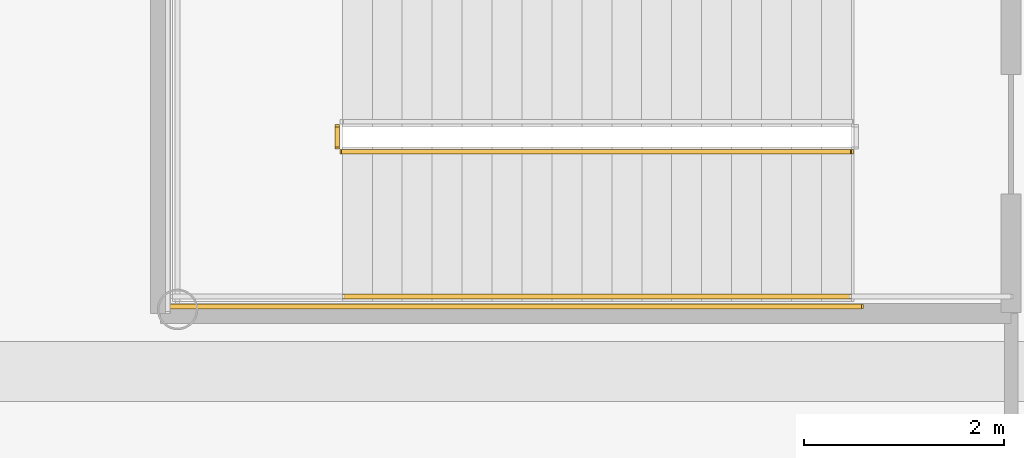
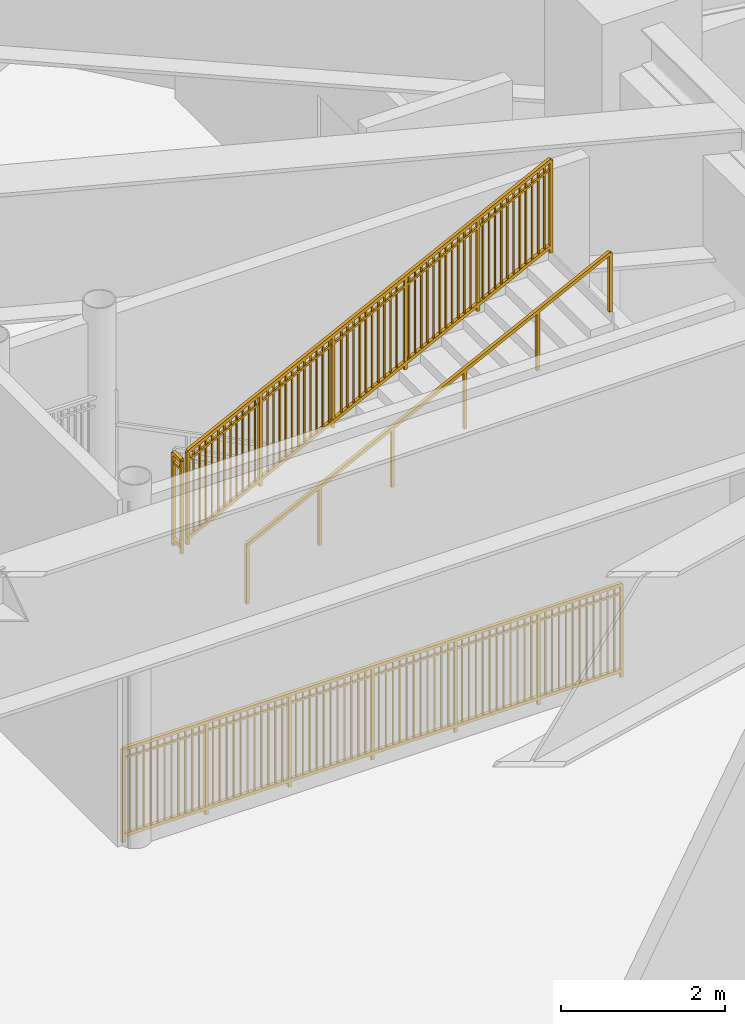
# One storey, part 28 of 39: 4 railings.
"""IFC4 building model written with IfcOpenShell, lengths in metres."""

from ifc_helpers import new_model, si_unit, direction, frame, origin, origin_2d, place, context, subcontext, project, spatial, rectangle, extrude, source, transform, mapped, material, type_object, element, save


model = new_model("IFC4")

# Units and contexts
model_context = context("Model", 3, precision=1e-05, world=origin(), true_north=direction((0.0, 1.0)))
body_context = subcontext(model_context, "Body", "Model", "MODEL_VIEW")
ifc_project = project(units=[si_unit("LENGTHUNIT", "METRE"), si_unit("AREAUNIT", "SQUARE_METRE"), si_unit("VOLUMEUNIT", "CUBIC_METRE"), si_unit("PLANEANGLEUNIT", "RADIAN"), si_unit("MASSUNIT", "GRAM", prefix="KILO")], contexts=[model_context])

# Site, building, storey
site_placement = place(None, origin())
site = spatial("IfcSite", under=ifc_project, at=site_placement, CompositionType="ELEMENT")
building_placement = place(site_placement, origin())
building = spatial("IfcBuilding", under=site, at=building_placement, Name="Linh Dai School and Residence Tower", CompositionType="ELEMENT")
storey_placement = place(building_placement, frame((0.0, 0.0, 27.0)))
storey = spatial("IfcBuildingStorey", under=building, at=storey_placement, Name="L06", CompositionType="ELEMENT", Elevation=27.0)

# Railings
ifc_material_1 = material(Name="Structural Steel S355JR", Category="steel")
railing_type_1 = type_object("IfcRailingType", Name="RL-ST-GUARD-1400", PredefinedType="GUARDRAIL", material=ifc_material_1)
shared_shape_1 = source(origin(), body_context, "Body", "SweptSolid", [
    extrude(rectangle(XDim=0.048095703125, YDim=0.048095703125, at=origin_2d()), frame((0.0, 0.0, 1.3759765625), z_axis=(0.0, -1.0, 0.0), x_axis=(1.0, 0.0, 0.0)), (0.0, 0.0, 1.0), 0.199951171875),
    extrude(rectangle(XDim=0.048095703125, YDim=0.048095703125, at=origin_2d()), frame((0.0, 0.0, 0.10009765625), z_axis=(0.0, -1.0, 0.0), x_axis=(1.0, 0.0, 0.0)), (0.0, 0.0, 1.0), 0.199951171875),
    extrude(rectangle(XDim=0.030029296875, YDim=0.030029296875, at=origin_2d()), frame((0.0, 0.0, 1.239990234375), z_axis=(0.0, -1.0, 0.0), x_axis=(1.0, 0.0, 0.0)), (0.0, 0.0, 1.0), 0.199951171875),
    extrude(rectangle(XDim=0.0419921875, YDim=0.0419921875, at=origin_2d()), origin(), (0.0, 0.0, 1.0), 1.3759765625),
    extrude(rectangle(XDim=0.0419921875, YDim=0.0419921875, at=origin_2d()), frame((0.0, -0.199951171875, 0.0)), (0.0, 0.0, 1.0), 1.3759765625),
])
railing_1_placement = place(storey_placement, frame((17.25, 29.449951171875, 2.699951171875)))
element("IfcRailing", 1, at=railing_1_placement, inside=storey, type_object=railing_type_1, Name="L06 STS1 stair guard 2", PredefinedType="GUARDRAIL", context=body_context, shape_type="MappedRepresentation", body=[
    mapped(shared_shape_1, transform((0.0, 0.0, 0.0), x_axis=(1.0, 0.0, 0.0), y_axis=(0.0, 1.0, 0.0), z_axis=(0.0, 0.0, 1.0), scale=1.0)),
])
shared_shape_2 = source(origin(), body_context, "Body", "SweptSolid", [
    extrude(rectangle(XDim=0.048095703125, YDim=0.048095703125, at=origin_2d()), frame((0.0, 0.0, 1.3759765625), z_axis=(-1.0, 0.0, 0.0), x_axis=(0.0, -1.0, 0.0)), (0.0, 0.0, 1.0), 7.0),
    extrude(rectangle(XDim=0.048095703125, YDim=0.048095703125, at=origin_2d()), frame((0.0, 0.0, 0.10009765625), z_axis=(-1.0, 0.0, 0.0), x_axis=(0.0, -1.0, 0.0)), (0.0, 0.0, 1.0), 7.0),
    extrude(rectangle(XDim=0.030029296875, YDim=0.030029296875, at=origin_2d()), frame((0.0, 0.0, 1.239990234375), z_axis=(-1.0, 0.0, 0.0), x_axis=(0.0, -1.0, 0.0)), (0.0, 0.0, 1.0), 7.0),
    extrude(rectangle(XDim=0.02001953125, YDim=0.02001953125, at=origin_2d()), frame((-0.09716796875, 0.0, 0.10009765625)), (0.0, 0.0, 1.0), 1.251708984375),
    extrude(rectangle(XDim=0.02001953125, YDim=0.02001953125, at=origin_2d()), frame((-0.1943359375, 0.0, 0.10009765625)), (0.0, 0.0, 1.0), 1.251708984375),
    extrude(rectangle(XDim=0.02001953125, YDim=0.02001953125, at=origin_2d()), frame((-0.291748046875, 0.0, 0.10009765625)), (0.0, 0.0, 1.0), 1.251708984375),
    extrude(rectangle(XDim=0.02001953125, YDim=0.02001953125, at=origin_2d()), frame((-0.388916015625, 0.0, 0.10009765625)), (0.0, 0.0, 1.0), 1.251708984375),
    extrude(rectangle(XDim=0.02001953125, YDim=0.02001953125, at=origin_2d()), frame((-0.486083984375, 0.0, 0.10009765625)), (0.0, 0.0, 1.0), 1.251708984375),
    extrude(rectangle(XDim=0.02001953125, YDim=0.02001953125, at=origin_2d()), frame((-0.583251953125, 0.0, 0.10009765625)), (0.0, 0.0, 1.0), 1.251708984375),
    extrude(rectangle(XDim=0.02001953125, YDim=0.02001953125, at=origin_2d()), frame((-0.6806640625, 0.0, 0.10009765625)), (0.0, 0.0, 1.0), 1.251708984375),
    extrude(rectangle(XDim=0.02001953125, YDim=0.02001953125, at=origin_2d()), frame((-0.77783203125, 0.0, 0.10009765625)), (0.0, 0.0, 1.0), 1.251708984375),
    extrude(rectangle(XDim=0.02001953125, YDim=0.02001953125, at=origin_2d()), frame((-0.875, 0.0, 0.10009765625)), (0.0, 0.0, 1.0), 1.251708984375),
    extrude(rectangle(XDim=0.02001953125, YDim=0.02001953125, at=origin_2d()), frame((-0.97216796875, 0.0, 0.10009765625)), (0.0, 0.0, 1.0), 1.251708984375),
    extrude(rectangle(XDim=0.02001953125, YDim=0.02001953125, at=origin_2d()), frame((-1.0693359375, 0.0, 0.10009765625)), (0.0, 0.0, 1.0), 1.251708984375),
    extrude(rectangle(XDim=0.02001953125, YDim=0.02001953125, at=origin_2d()), frame((-1.263916015625, 0.0, 0.10009765625)), (0.0, 0.0, 1.0), 1.251708984375),
    extrude(rectangle(XDim=0.02001953125, YDim=0.02001953125, at=origin_2d()), frame((-1.361083984375, 0.0, 0.10009765625)), (0.0, 0.0, 1.0), 1.251708984375),
    extrude(rectangle(XDim=0.02001953125, YDim=0.02001953125, at=origin_2d()), frame((-1.458251953125, 0.0, 0.10009765625)), (0.0, 0.0, 1.0), 1.251708984375),
    extrude(rectangle(XDim=0.02001953125, YDim=0.02001953125, at=origin_2d()), frame((-1.5556640625, 0.0, 0.10009765625)), (0.0, 0.0, 1.0), 1.251708984375),
    extrude(rectangle(XDim=0.02001953125, YDim=0.02001953125, at=origin_2d()), frame((-1.65283203125, 0.0, 0.10009765625)), (0.0, 0.0, 1.0), 1.251708984375),
    extrude(rectangle(XDim=0.02001953125, YDim=0.02001953125, at=origin_2d()), frame((-1.75, 0.0, 0.10009765625)), (0.0, 0.0, 1.0), 1.251708984375),
    extrude(rectangle(XDim=0.02001953125, YDim=0.02001953125, at=origin_2d()), frame((-1.84716796875, 0.0, 0.10009765625)), (0.0, 0.0, 1.0), 1.251708984375),
    extrude(rectangle(XDim=0.02001953125, YDim=0.02001953125, at=origin_2d()), frame((-1.9443359375, 0.0, 0.10009765625)), (0.0, 0.0, 1.0), 1.251708984375),
    extrude(rectangle(XDim=0.02001953125, YDim=0.02001953125, at=origin_2d()), frame((-2.041748046875, 0.0, 0.10009765625)), (0.0, 0.0, 1.0), 1.251708984375),
    extrude(rectangle(XDim=0.02001953125, YDim=0.02001953125, at=origin_2d()), frame((-2.138916015625, 0.0, 0.10009765625)), (0.0, 0.0, 1.0), 1.251708984375),
    extrude(rectangle(XDim=0.02001953125, YDim=0.02001953125, at=origin_2d()), frame((-2.236083984375, 0.0, 0.10009765625)), (0.0, 0.0, 1.0), 1.251708984375),
    extrude(rectangle(XDim=0.02001953125, YDim=0.02001953125, at=origin_2d()), frame((-2.4306640625, 0.0, 0.10009765625)), (0.0, 0.0, 1.0), 1.251708984375),
    extrude(rectangle(XDim=0.02001953125, YDim=0.02001953125, at=origin_2d()), frame((-2.52783203125, 0.0, 0.10009765625)), (0.0, 0.0, 1.0), 1.251708984375),
    extrude(rectangle(XDim=0.02001953125, YDim=0.02001953125, at=origin_2d()), frame((-2.625, 0.0, 0.10009765625)), (0.0, 0.0, 1.0), 1.251708984375),
    extrude(rectangle(XDim=0.02001953125, YDim=0.02001953125, at=origin_2d()), frame((-2.72216796875, 0.0, 0.10009765625)), (0.0, 0.0, 1.0), 1.251708984375),
    extrude(rectangle(XDim=0.02001953125, YDim=0.02001953125, at=origin_2d()), frame((-2.8193359375, 0.0, 0.10009765625)), (0.0, 0.0, 1.0), 1.251708984375),
    extrude(rectangle(XDim=0.02001953125, YDim=0.02001953125, at=origin_2d()), frame((-2.916748046875, 0.0, 0.10009765625)), (0.0, 0.0, 1.0), 1.251708984375),
    extrude(rectangle(XDim=0.02001953125, YDim=0.02001953125, at=origin_2d()), frame((-3.013916015625, 0.0, 0.10009765625)), (0.0, 0.0, 1.0), 1.251708984375),
    extrude(rectangle(XDim=0.02001953125, YDim=0.02001953125, at=origin_2d()), frame((-3.111083984375, 0.0, 0.10009765625)), (0.0, 0.0, 1.0), 1.251708984375),
    extrude(rectangle(XDim=0.02001953125, YDim=0.02001953125, at=origin_2d()), frame((-3.208251953125, 0.0, 0.10009765625)), (0.0, 0.0, 1.0), 1.251708984375),
    extrude(rectangle(XDim=0.02001953125, YDim=0.02001953125, at=origin_2d()), frame((-3.3056640625, 0.0, 0.10009765625)), (0.0, 0.0, 1.0), 1.251708984375),
    extrude(rectangle(XDim=0.02001953125, YDim=0.02001953125, at=origin_2d()), frame((-3.40283203125, 0.0, 0.10009765625)), (0.0, 0.0, 1.0), 1.251708984375),
    extrude(rectangle(XDim=0.02001953125, YDim=0.02001953125, at=origin_2d()), frame((-3.59716796875, 0.0, 0.10009765625)), (0.0, 0.0, 1.0), 1.251708984375),
    extrude(rectangle(XDim=0.02001953125, YDim=0.02001953125, at=origin_2d()), frame((-3.6943359375, 0.0, 0.10009765625)), (0.0, 0.0, 1.0), 1.251708984375),
    extrude(rectangle(XDim=0.02001953125, YDim=0.02001953125, at=origin_2d()), frame((-3.791748046875, 0.0, 0.10009765625)), (0.0, 0.0, 1.0), 1.251708984375),
    extrude(rectangle(XDim=0.02001953125, YDim=0.02001953125, at=origin_2d()), frame((-3.888916015625, 0.0, 0.10009765625)), (0.0, 0.0, 1.0), 1.251708984375),
    extrude(rectangle(XDim=0.02001953125, YDim=0.02001953125, at=origin_2d()), frame((-3.986083984375, 0.0, 0.10009765625)), (0.0, 0.0, 1.0), 1.251708984375),
    extrude(rectangle(XDim=0.02001953125, YDim=0.02001953125, at=origin_2d()), frame((-4.083251953125, 0.0, 0.10009765625)), (0.0, 0.0, 1.0), 1.251708984375),
    extrude(rectangle(XDim=0.02001953125, YDim=0.02001953125, at=origin_2d()), frame((-4.1806640625, 0.0, 0.10009765625)), (0.0, 0.0, 1.0), 1.251708984375),
    extrude(rectangle(XDim=0.02001953125, YDim=0.02001953125, at=origin_2d()), frame((-4.27783203125, 0.0, 0.10009765625)), (0.0, 0.0, 1.0), 1.251708984375),
    extrude(rectangle(XDim=0.02001953125, YDim=0.02001953125, at=origin_2d()), frame((-4.375, 0.0, 0.10009765625)), (0.0, 0.0, 1.0), 1.251708984375),
    extrude(rectangle(XDim=0.02001953125, YDim=0.02001953125, at=origin_2d()), frame((-4.47216796875, 0.0, 0.10009765625)), (0.0, 0.0, 1.0), 1.251708984375),
    extrude(rectangle(XDim=0.02001953125, YDim=0.02001953125, at=origin_2d()), frame((-4.5693359375, 0.0, 0.10009765625)), (0.0, 0.0, 1.0), 1.251708984375),
    extrude(rectangle(XDim=0.02001953125, YDim=0.02001953125, at=origin_2d()), frame((-4.763916015625, 0.0, 0.10009765625)), (0.0, 0.0, 1.0), 1.251708984375),
    extrude(rectangle(XDim=0.02001953125, YDim=0.02001953125, at=origin_2d()), frame((-4.861083984375, 0.0, 0.10009765625)), (0.0, 0.0, 1.0), 1.251708984375),
    extrude(rectangle(XDim=0.02001953125, YDim=0.02001953125, at=origin_2d()), frame((-4.958251953125, 0.0, 0.10009765625)), (0.0, 0.0, 1.0), 1.251708984375),
    extrude(rectangle(XDim=0.02001953125, YDim=0.02001953125, at=origin_2d()), frame((-5.0556640625, 0.0, 0.10009765625)), (0.0, 0.0, 1.0), 1.251708984375),
    extrude(rectangle(XDim=0.02001953125, YDim=0.02001953125, at=origin_2d()), frame((-5.15283203125, 0.0, 0.10009765625)), (0.0, 0.0, 1.0), 1.251708984375),
    extrude(rectangle(XDim=0.02001953125, YDim=0.02001953125, at=origin_2d()), frame((-5.25, 0.0, 0.10009765625)), (0.0, 0.0, 1.0), 1.251708984375),
    extrude(rectangle(XDim=0.02001953125, YDim=0.02001953125, at=origin_2d()), frame((-5.34716796875, 0.0, 0.10009765625)), (0.0, 0.0, 1.0), 1.251708984375),
    extrude(rectangle(XDim=0.02001953125, YDim=0.02001953125, at=origin_2d()), frame((-5.4443359375, 0.0, 0.10009765625)), (0.0, 0.0, 1.0), 1.251708984375),
    extrude(rectangle(XDim=0.02001953125, YDim=0.02001953125, at=origin_2d()), frame((-5.541748046875, 0.0, 0.10009765625)), (0.0, 0.0, 1.0), 1.251708984375),
    extrude(rectangle(XDim=0.02001953125, YDim=0.02001953125, at=origin_2d()), frame((-5.638916015625, 0.0, 0.10009765625)), (0.0, 0.0, 1.0), 1.251708984375),
    extrude(rectangle(XDim=0.02001953125, YDim=0.02001953125, at=origin_2d()), frame((-5.736083984375, 0.0, 0.10009765625)), (0.0, 0.0, 1.0), 1.251708984375),
    extrude(rectangle(XDim=0.02001953125, YDim=0.02001953125, at=origin_2d()), frame((-5.9306640625, 0.0, 0.10009765625)), (0.0, 0.0, 1.0), 1.251708984375),
    extrude(rectangle(XDim=0.02001953125, YDim=0.02001953125, at=origin_2d()), frame((-6.02783203125, 0.0, 0.10009765625)), (0.0, 0.0, 1.0), 1.251708984375),
    extrude(rectangle(XDim=0.02001953125, YDim=0.02001953125, at=origin_2d()), frame((-6.125, 0.0, 0.10009765625)), (0.0, 0.0, 1.0), 1.251708984375),
    extrude(rectangle(XDim=0.02001953125, YDim=0.02001953125, at=origin_2d()), frame((-6.22216796875, 0.0, 0.10009765625)), (0.0, 0.0, 1.0), 1.251708984375),
    extrude(rectangle(XDim=0.02001953125, YDim=0.02001953125, at=origin_2d()), frame((-6.3193359375, 0.0, 0.10009765625)), (0.0, 0.0, 1.0), 1.251708984375),
    extrude(rectangle(XDim=0.02001953125, YDim=0.02001953125, at=origin_2d()), frame((-6.416748046875, 0.0, 0.10009765625)), (0.0, 0.0, 1.0), 1.251708984375),
    extrude(rectangle(XDim=0.02001953125, YDim=0.02001953125, at=origin_2d()), frame((-6.513916015625, 0.0, 0.10009765625)), (0.0, 0.0, 1.0), 1.251708984375),
    extrude(rectangle(XDim=0.02001953125, YDim=0.02001953125, at=origin_2d()), frame((-6.611083984375, 0.0, 0.10009765625)), (0.0, 0.0, 1.0), 1.251708984375),
    extrude(rectangle(XDim=0.02001953125, YDim=0.02001953125, at=origin_2d()), frame((-6.708251953125, 0.0, 0.10009765625)), (0.0, 0.0, 1.0), 1.251708984375),
    extrude(rectangle(XDim=0.02001953125, YDim=0.02001953125, at=origin_2d()), frame((-6.8056640625, 0.0, 0.10009765625)), (0.0, 0.0, 1.0), 1.251708984375),
    extrude(rectangle(XDim=0.02001953125, YDim=0.02001953125, at=origin_2d()), frame((-6.90283203125, 0.0, 0.10009765625)), (0.0, 0.0, 1.0), 1.251708984375),
    extrude(rectangle(XDim=0.0419921875, YDim=0.0419921875, at=origin_2d()), origin(), (0.0, 0.0, 1.0), 1.3759765625),
    extrude(rectangle(XDim=0.0419921875, YDim=0.0419921875, at=origin_2d()), frame((-1.166748046875, 0.0, 0.0)), (0.0, 0.0, 1.0), 1.3759765625),
    extrude(rectangle(XDim=0.0419921875, YDim=0.0419921875, at=origin_2d()), frame((-2.333251953125, 0.0, 0.0)), (0.0, 0.0, 1.0), 1.3759765625),
    extrude(rectangle(XDim=0.0419921875, YDim=0.0419921875, at=origin_2d()), frame((-3.5, 0.0, 0.0)), (0.0, 0.0, 1.0), 1.3759765625),
    extrude(rectangle(XDim=0.0419921875, YDim=0.0419921875, at=origin_2d()), frame((-4.666748046875, 0.0, 0.0)), (0.0, 0.0, 1.0), 1.3759765625),
    extrude(rectangle(XDim=0.0419921875, YDim=0.0419921875, at=origin_2d()), frame((-5.833251953125, 0.0, 0.0)), (0.0, 0.0, 1.0), 1.3759765625),
    extrude(rectangle(XDim=0.0419921875, YDim=0.0419921875, at=origin_2d()), frame((-7.0, 0.0, 0.0)), (0.0, 0.0, 1.0), 1.3759765625),
])
railing_2_placement = place(storey_placement, frame((22.5, 27.64990234375, 0.0)))
element("IfcRailing", 2, at=railing_2_placement, inside=storey, type_object=railing_type_1, Name="L06 STS1 stair guard 11", PredefinedType="GUARDRAIL", context=body_context, shape_type="MappedRepresentation", body=[
    mapped(shared_shape_2, transform((0.0, 0.0, 0.0), x_axis=(1.0, 0.0, 0.0), y_axis=(0.0, 1.0, 0.0), z_axis=(0.0, 0.0, 1.0), scale=1.0)),
])
shared_shape_3 = source(origin(), body_context, "Body", "SweptSolid", [
    extrude(rectangle(XDim=0.048095703125, YDim=0.048095703125, at=origin_2d()), frame((0.0, 0.0, 1.3759765625), z_axis=(0.894435754537, 0.0, 0.447196468016), x_axis=(0.0, 1.0, 0.0)), (0.0, 0.0, 1.0), 5.70166015625),
    extrude(rectangle(XDim=0.048095703125, YDim=0.048095703125, at=origin_2d()), frame((0.0, 0.0, 0.10009765625), z_axis=(0.894435754537, 0.0, 0.447196468016), x_axis=(0.0, 1.0, 0.0)), (0.0, 0.0, 1.0), 5.70166015625),
    extrude(rectangle(XDim=0.030029296875, YDim=0.030029296875, at=origin_2d()), frame((0.0, 0.0, 1.239990234375), z_axis=(0.894435754537, 0.0, 0.447196468016), x_axis=(0.0, 1.0, 0.0)), (0.0, 0.0, 1.0), 5.70166015625),
    extrude(rectangle(XDim=0.02001953125, YDim=0.02001953125, at=origin_2d()), frame((0.08642578125, 0.0, 0.143310546875)), (0.0, 0.0, 1.0), 1.251708984375),
    extrude(rectangle(XDim=0.02001953125, YDim=0.02001953125, at=origin_2d()), frame((0.1728515625, 0.0, 0.1865234375)), (0.0, 0.0, 1.0), 1.251708984375),
    extrude(rectangle(XDim=0.02001953125, YDim=0.02001953125, at=origin_2d()), frame((0.25927734375, 0.0, 0.229736328125)), (0.0, 0.0, 1.0), 1.251708984375),
    extrude(rectangle(XDim=0.02001953125, YDim=0.02001953125, at=origin_2d()), frame((0.345703125, 0.0, 0.27294921875)), (0.0, 0.0, 1.0), 1.251708984375),
    extrude(rectangle(XDim=0.02001953125, YDim=0.02001953125, at=origin_2d()), frame((0.43212890625, 0.0, 0.316162109375)), (0.0, 0.0, 1.0), 1.251708984375),
    extrude(rectangle(XDim=0.02001953125, YDim=0.02001953125, at=origin_2d()), frame((0.5185546875, 0.0, 0.359375)), (0.0, 0.0, 1.0), 1.251708984375),
    extrude(rectangle(XDim=0.02001953125, YDim=0.02001953125, at=origin_2d()), frame((0.60498046875, 0.0, 0.402587890625)), (0.0, 0.0, 1.0), 1.251708984375),
    extrude(rectangle(XDim=0.02001953125, YDim=0.02001953125, at=origin_2d()), frame((0.69140625, 0.0, 0.44580078125)), (0.0, 0.0, 1.0), 1.251708984375),
    extrude(rectangle(XDim=0.02001953125, YDim=0.02001953125, at=origin_2d()), frame((0.77783203125, 0.0, 0.489013671875)), (0.0, 0.0, 1.0), 1.251708984375),
    extrude(rectangle(XDim=0.02001953125, YDim=0.02001953125, at=origin_2d()), frame((0.864501953125, 0.0, 0.5322265625)), (0.0, 0.0, 1.0), 1.251708984375),
    extrude(rectangle(XDim=0.02001953125, YDim=0.02001953125, at=origin_2d()), frame((0.950927734375, 0.0, 0.575439453125)), (0.0, 0.0, 1.0), 1.251708984375),
    extrude(rectangle(XDim=0.02001953125, YDim=0.02001953125, at=origin_2d()), frame((1.123779296875, 0.0, 0.661865234375)), (0.0, 0.0, 1.0), 1.251708984375),
    extrude(rectangle(XDim=0.02001953125, YDim=0.02001953125, at=origin_2d()), frame((1.210205078125, 0.0, 0.705078125)), (0.0, 0.0, 1.0), 1.251708984375),
    extrude(rectangle(XDim=0.02001953125, YDim=0.02001953125, at=origin_2d()), frame((1.296630859375, 0.0, 0.748291015625)), (0.0, 0.0, 1.0), 1.251708984375),
    extrude(rectangle(XDim=0.02001953125, YDim=0.02001953125, at=origin_2d()), frame((1.383056640625, 0.0, 0.79150390625)), (0.0, 0.0, 1.0), 1.251708984375),
    extrude(rectangle(XDim=0.02001953125, YDim=0.02001953125, at=origin_2d()), frame((1.469482421875, 0.0, 0.834716796875)), (0.0, 0.0, 1.0), 1.251708984375),
    extrude(rectangle(XDim=0.02001953125, YDim=0.02001953125, at=origin_2d()), frame((1.555908203125, 0.0, 0.8779296875)), (0.0, 0.0, 1.0), 1.251708984375),
    extrude(rectangle(XDim=0.02001953125, YDim=0.02001953125, at=origin_2d()), frame((1.642333984375, 0.0, 0.921142578125)), (0.0, 0.0, 1.0), 1.251708984375),
    extrude(rectangle(XDim=0.02001953125, YDim=0.02001953125, at=origin_2d()), frame((1.728759765625, 0.0, 0.96435546875)), (0.0, 0.0, 1.0), 1.251708984375),
    extrude(rectangle(XDim=0.02001953125, YDim=0.02001953125, at=origin_2d()), frame((1.815185546875, 0.0, 1.007568359375)), (0.0, 0.0, 1.0), 1.251708984375),
    extrude(rectangle(XDim=0.02001953125, YDim=0.02001953125, at=origin_2d()), frame((1.901611328125, 0.0, 1.05078125)), (0.0, 0.0, 1.0), 1.251708984375),
    extrude(rectangle(XDim=0.02001953125, YDim=0.02001953125, at=origin_2d()), frame((1.988037109375, 0.0, 1.093994140625)), (0.0, 0.0, 1.0), 1.251708984375),
    extrude(rectangle(XDim=0.02001953125, YDim=0.02001953125, at=origin_2d()), frame((2.160888671875, 0.0, 1.180419921875)), (0.0, 0.0, 1.0), 1.251708984375),
    extrude(rectangle(XDim=0.02001953125, YDim=0.02001953125, at=origin_2d()), frame((2.247314453125, 0.0, 1.2236328125)), (0.0, 0.0, 1.0), 1.251708984375),
    extrude(rectangle(XDim=0.02001953125, YDim=0.02001953125, at=origin_2d()), frame((2.333740234375, 0.0, 1.266845703125)), (0.0, 0.0, 1.0), 1.251708984375),
    extrude(rectangle(XDim=0.02001953125, YDim=0.02001953125, at=origin_2d()), frame((2.420166015625, 0.0, 1.31005859375)), (0.0, 0.0, 1.0), 1.251708984375),
    extrude(rectangle(XDim=0.02001953125, YDim=0.02001953125, at=origin_2d()), frame((2.506591796875, 0.0, 1.353271484375)), (0.0, 0.0, 1.0), 1.251708984375),
    extrude(rectangle(XDim=0.02001953125, YDim=0.02001953125, at=origin_2d()), frame((2.59326171875, 0.0, 1.396728515625)), (0.0, 0.0, 1.0), 1.251708984375),
    extrude(rectangle(XDim=0.02001953125, YDim=0.02001953125, at=origin_2d()), frame((2.6796875, 0.0, 1.43994140625)), (0.0, 0.0, 1.0), 1.251708984375),
    extrude(rectangle(XDim=0.02001953125, YDim=0.02001953125, at=origin_2d()), frame((2.76611328125, 0.0, 1.483154296875)), (0.0, 0.0, 1.0), 1.251708984375),
    extrude(rectangle(XDim=0.02001953125, YDim=0.02001953125, at=origin_2d()), frame((2.8525390625, 0.0, 1.5263671875)), (0.0, 0.0, 1.0), 1.251708984375),
    extrude(rectangle(XDim=0.02001953125, YDim=0.02001953125, at=origin_2d()), frame((2.93896484375, 0.0, 1.569580078125)), (0.0, 0.0, 1.0), 1.251708984375),
    extrude(rectangle(XDim=0.02001953125, YDim=0.02001953125, at=origin_2d()), frame((3.11181640625, 0.0, 1.656005859375)), (0.0, 0.0, 1.0), 1.251708984375),
    extrude(rectangle(XDim=0.02001953125, YDim=0.02001953125, at=origin_2d()), frame((3.1982421875, 0.0, 1.69921875)), (0.0, 0.0, 1.0), 1.251708984375),
    extrude(rectangle(XDim=0.02001953125, YDim=0.02001953125, at=origin_2d()), frame((3.28466796875, 0.0, 1.742431640625)), (0.0, 0.0, 1.0), 1.251708984375),
    extrude(rectangle(XDim=0.02001953125, YDim=0.02001953125, at=origin_2d()), frame((3.37109375, 0.0, 1.78564453125)), (0.0, 0.0, 1.0), 1.251708984375),
    extrude(rectangle(XDim=0.02001953125, YDim=0.02001953125, at=origin_2d()), frame((3.45751953125, 0.0, 1.828857421875)), (0.0, 0.0, 1.0), 1.251708984375),
    extrude(rectangle(XDim=0.02001953125, YDim=0.02001953125, at=origin_2d()), frame((3.5439453125, 0.0, 1.8720703125)), (0.0, 0.0, 1.0), 1.251708984375),
    extrude(rectangle(XDim=0.02001953125, YDim=0.02001953125, at=origin_2d()), frame((3.63037109375, 0.0, 1.915283203125)), (0.0, 0.0, 1.0), 1.251708984375),
    extrude(rectangle(XDim=0.02001953125, YDim=0.02001953125, at=origin_2d()), frame((3.716796875, 0.0, 1.95849609375)), (0.0, 0.0, 1.0), 1.251708984375),
    extrude(rectangle(XDim=0.02001953125, YDim=0.02001953125, at=origin_2d()), frame((3.80322265625, 0.0, 2.001708984375)), (0.0, 0.0, 1.0), 1.251708984375),
    extrude(rectangle(XDim=0.02001953125, YDim=0.02001953125, at=origin_2d()), frame((3.8896484375, 0.0, 2.044921875)), (0.0, 0.0, 1.0), 1.251708984375),
    extrude(rectangle(XDim=0.02001953125, YDim=0.02001953125, at=origin_2d()), frame((3.97607421875, 0.0, 2.088134765625)), (0.0, 0.0, 1.0), 1.251708984375),
    extrude(rectangle(XDim=0.02001953125, YDim=0.02001953125, at=origin_2d()), frame((4.14892578125, 0.0, 2.174560546875)), (0.0, 0.0, 1.0), 1.251708984375),
    extrude(rectangle(XDim=0.02001953125, YDim=0.02001953125, at=origin_2d()), frame((4.2353515625, 0.0, 2.2177734375)), (0.0, 0.0, 1.0), 1.251708984375),
    extrude(rectangle(XDim=0.02001953125, YDim=0.02001953125, at=origin_2d()), frame((4.322021484375, 0.0, 2.260986328125)), (0.0, 0.0, 1.0), 1.251708984375),
    extrude(rectangle(XDim=0.02001953125, YDim=0.02001953125, at=origin_2d()), frame((4.408447265625, 0.0, 2.30419921875)), (0.0, 0.0, 1.0), 1.251708984375),
    extrude(rectangle(XDim=0.02001953125, YDim=0.02001953125, at=origin_2d()), frame((4.494873046875, 0.0, 2.347412109375)), (0.0, 0.0, 1.0), 1.251708984375),
    extrude(rectangle(XDim=0.02001953125, YDim=0.02001953125, at=origin_2d()), frame((4.581298828125, 0.0, 2.390625)), (0.0, 0.0, 1.0), 1.251708984375),
    extrude(rectangle(XDim=0.02001953125, YDim=0.02001953125, at=origin_2d()), frame((4.667724609375, 0.0, 2.433837890625)), (0.0, 0.0, 1.0), 1.251708984375),
    extrude(rectangle(XDim=0.02001953125, YDim=0.02001953125, at=origin_2d()), frame((4.754150390625, 0.0, 2.47705078125)), (0.0, 0.0, 1.0), 1.251708984375),
    extrude(rectangle(XDim=0.02001953125, YDim=0.02001953125, at=origin_2d()), frame((4.840576171875, 0.0, 2.520263671875)), (0.0, 0.0, 1.0), 1.251708984375),
    extrude(rectangle(XDim=0.02001953125, YDim=0.02001953125, at=origin_2d()), frame((4.927001953125, 0.0, 2.5634765625)), (0.0, 0.0, 1.0), 1.251708984375),
    extrude(rectangle(XDim=0.02001953125, YDim=0.02001953125, at=origin_2d()), frame((5.013427734375, 0.0, 2.606689453125)), (0.0, 0.0, 1.0), 1.251708984375),
    extrude(rectangle(XDim=0.0419921875, YDim=0.0419921875, at=origin_2d()), origin(), (0.0, 0.0, 1.0), 1.3759765625),
    extrude(rectangle(XDim=0.0419921875, YDim=0.0419921875, at=origin_2d()), frame((1.02001953125, 0.0, 0.510009765625)), (0.0, 0.0, 1.0), 1.3759765625),
    extrude(rectangle(XDim=0.0419921875, YDim=0.0419921875, at=origin_2d()), frame((2.0400390625, 0.0, 1.02001953125)), (0.0, 0.0, 1.0), 1.3759765625),
    extrude(rectangle(XDim=0.0419921875, YDim=0.0419921875, at=origin_2d()), frame((3.059814453125, 0.0, 1.52978515625)), (0.0, 0.0, 1.0), 1.3759765625),
    extrude(rectangle(XDim=0.0419921875, YDim=0.0419921875, at=origin_2d()), frame((4.079833984375, 0.0, 2.039794921875)), (0.0, 0.0, 1.0), 1.3759765625),
    extrude(rectangle(XDim=0.0419921875, YDim=0.0419921875, at=origin_2d()), frame((5.099853515625, 0.0, 2.5498046875)), (0.0, 0.0, 1.0), 1.3759765625),
])
railing_3_placement = place(storey_placement, frame((17.300048828125, 29.199951171875, 2.85009765625)))
element("IfcRailing", 3, at=railing_3_placement, inside=storey, type_object=railing_type_1, Name="L06 STS1 stair guard 6", PredefinedType="GUARDRAIL", context=body_context, shape_type="MappedRepresentation", body=[
    mapped(shared_shape_3, transform((0.0, 0.0, 0.0), x_axis=(1.0, 0.0, 0.0), y_axis=(0.0, 1.0, 0.0), z_axis=(0.0, 0.0, 1.0), scale=1.0)),
])
ifc_material_2 = material(Name="Brushed Stainless Steel Handrail", Category="steel")
railing_type_2 = type_object("IfcRailingType", Name="RL-ST-HANDRAIL-900", PredefinedType="HANDRAIL", material=ifc_material_2)
shared_shape_4 = source(origin(), body_context, "Body", "SweptSolid", [
    extrude(rectangle(XDim=0.048095703125, YDim=0.048095703125, at=origin_2d()), frame((0.0, 0.0, 0.8759765625), z_axis=(0.894435754537, 0.0, 0.447196468016), x_axis=(0.0, 1.0, 0.0)), (0.0, 0.0, 1.0), 5.70166015625),
    extrude(rectangle(XDim=0.0419921875, YDim=0.0419921875, at=origin_2d()), origin(), (0.0, 0.0, 1.0), 0.8759765625),
    extrude(rectangle(XDim=0.0419921875, YDim=0.0419921875, at=origin_2d()), frame((1.02001953125, 0.0, 0.510009765625)), (0.0, 0.0, 1.0), 0.8759765625),
    extrude(rectangle(XDim=0.0419921875, YDim=0.0419921875, at=origin_2d()), frame((2.0400390625, 0.0, 1.02001953125)), (0.0, 0.0, 1.0), 0.8759765625),
    extrude(rectangle(XDim=0.0419921875, YDim=0.0419921875, at=origin_2d()), frame((3.059814453125, 0.0, 1.52978515625)), (0.0, 0.0, 1.0), 0.8759765625),
    extrude(rectangle(XDim=0.0419921875, YDim=0.0419921875, at=origin_2d()), frame((4.079833984375, 0.0, 2.039794921875)), (0.0, 0.0, 1.0), 0.8759765625),
    extrude(rectangle(XDim=0.0419921875, YDim=0.0419921875, at=origin_2d()), frame((5.099853515625, 0.0, 2.5498046875)), (0.0, 0.0, 1.0), 0.8759765625),
])
railing_4_placement = place(storey_placement, frame((17.300048828125, 27.75, 2.85009765625)))
element("IfcRailing", 4, at=railing_4_placement, inside=storey, type_object=railing_type_2, Name="L06 STS1 stair handrail 2", PredefinedType="HANDRAIL", context=body_context, shape_type="MappedRepresentation", body=[
    mapped(shared_shape_4, transform((0.0, 0.0, 0.0), x_axis=(1.0, 0.0, 0.0), y_axis=(0.0, 1.0, 0.0), z_axis=(0.0, 0.0, 1.0), scale=1.0)),
])

save(model, "model.ifc")
